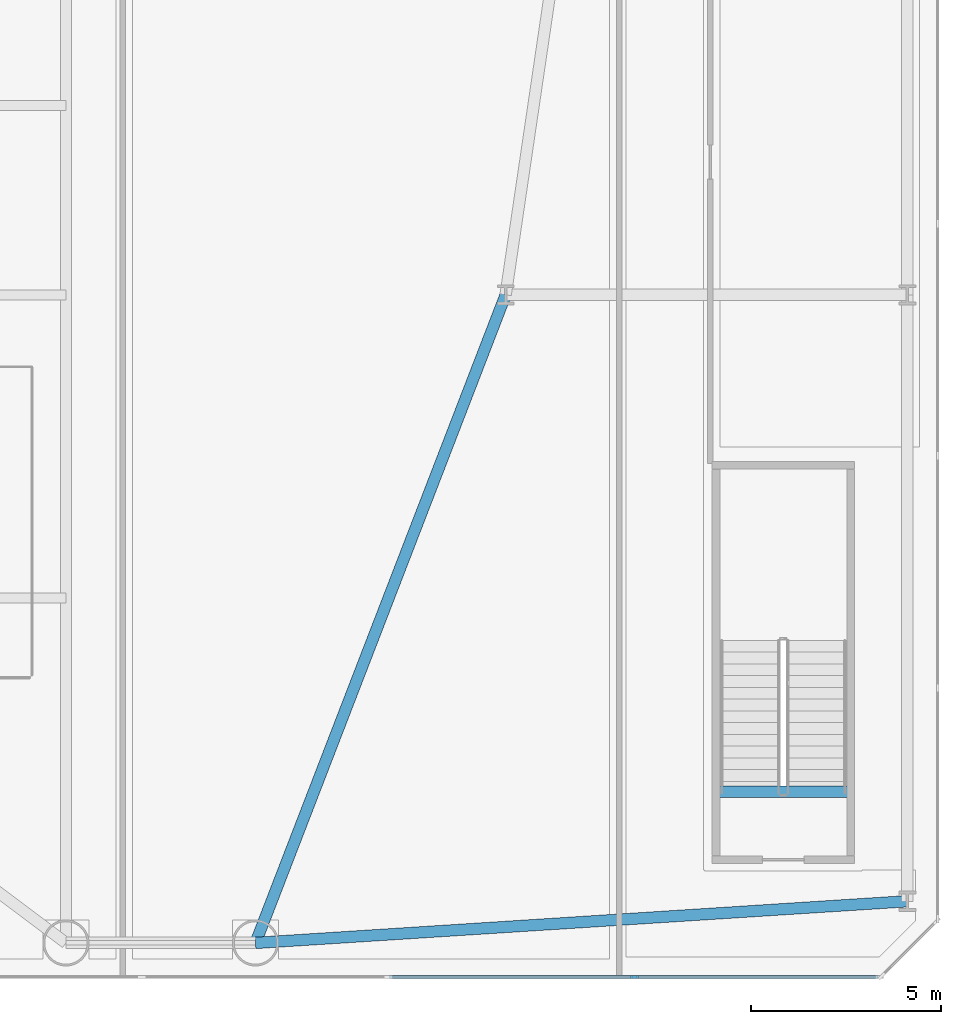
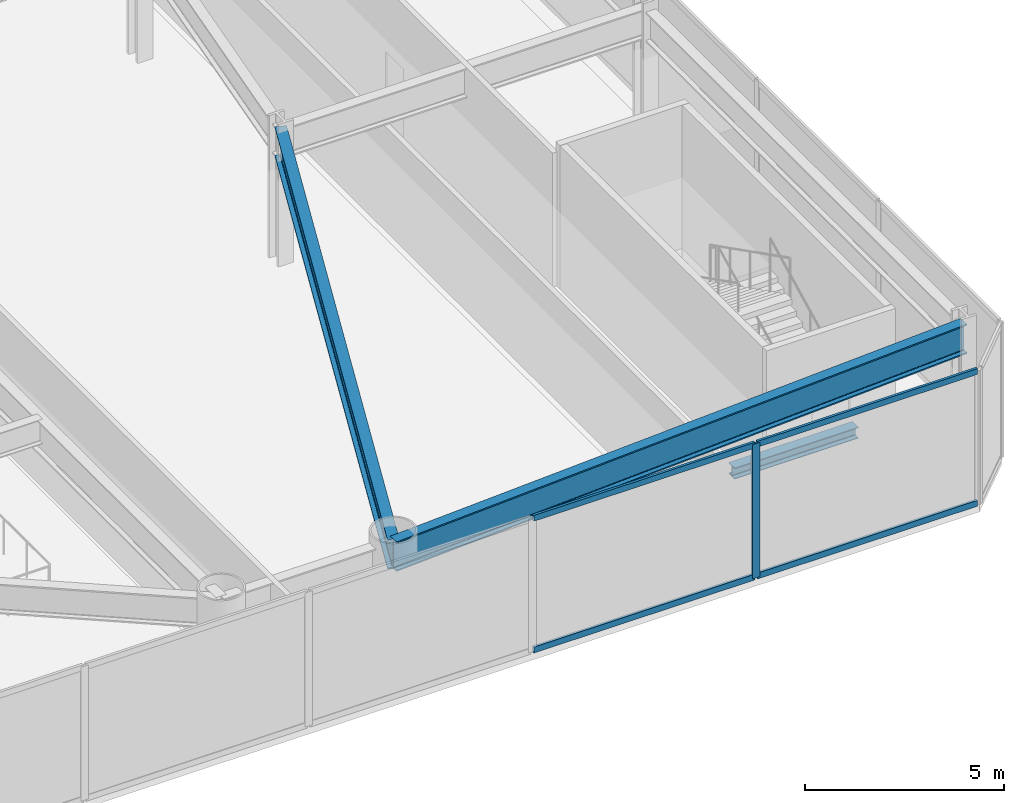
# One storey, part 5 of 24: 5 members, 3 beams, 1 element without a shape of its own.
"""IFC4 building model written with IfcOpenShell, lengths in metres."""

from ifc_helpers import new_model, si_unit, direction, frame, origin, origin_2d, place, context, subcontext, project, spatial, rectangle, i_section, extrude, source, transform, mapped, material, layer, layer_set, material_profile, profile_set, type_object, element, aggregate, save


model = new_model("IFC4")

# Units and contexts
model_context = context("Model", 3, precision=1e-05, world=origin(), true_north=direction((0.0, 1.0)))
body_context = subcontext(model_context, "Body", "Model", "MODEL_VIEW")
ifc_project = project(units=[si_unit("LENGTHUNIT", "METRE"), si_unit("AREAUNIT", "SQUARE_METRE"), si_unit("VOLUMEUNIT", "CUBIC_METRE"), si_unit("PLANEANGLEUNIT", "RADIAN"), si_unit("MASSUNIT", "GRAM", prefix="KILO")], contexts=[model_context])

# Site, building, storey
site_placement = place(None, origin())
site = spatial("IfcSite", under=ifc_project, at=site_placement, CompositionType="ELEMENT")
building_placement = place(site_placement, origin())
building = spatial("IfcBuilding", under=site, at=building_placement, Name="Vaeldorn Concourse Tower", CompositionType="ELEMENT")
storey_placement = place(building_placement, frame((0.0, 0.0, 5.60009765625)))
storey = spatial("IfcBuildingStorey", under=building, at=storey_placement, Name="L01", CompositionType="ELEMENT", Elevation=5.60009765625)

# Beams
ifc_material_1 = material(Name="Steel S355", Category="steel")
ifc_material_profile_1 = material_profile(ifc_material_1, i_section(OverallWidth=0.300048828125, OverallDepth=0.340087890625, WebThickness=0.011962890625, FlangeThickness=0.021484375, FilletRadius=0.027099609375, at=origin_2d()), Name="HEB 340")
ifc_profile_set_1 = profile_set([ifc_material_profile_1], Name="Steel S355")
beam_type_1 = type_object("IfcBeamType", Name="BM-ST-TRIM", PredefinedType="BEAM", material=ifc_profile_set_1)
shared_shape_1 = source(origin(), body_context, "Body", "SweptSolid", [
    extrude(i_section(OverallWidth=0.300048828125, OverallDepth=0.340087890625, WebThickness=0.011962890625, FlangeThickness=0.021484375, FilletRadius=0.027099609375, at=origin_2d()), origin(), (0.0, 0.0, 1.0), 3.590087890625),
])
beam_1_placement = place(storey_placement, frame((62.1298828125, 4.889892578125, -0.4501953125), z_axis=(1.0, 0.0, 0.0), x_axis=(0.0, 1.0, 0.0)))
element("IfcBeam", 1, at=beam_1_placement, inside=storey, type_object=beam_type_1, Name="Stair Landing Trimmer Beam ST-5 L01", PredefinedType="BEAM", context=body_context, shape_type="MappedRepresentation", body=[
    mapped(shared_shape_1, transform((0.0, 0.0, 0.0), scale=1.0)),
])
ifc_material_profile_2 = material_profile(ifc_material_1, i_section(OverallWidth=0.302001953125, OverallDepth=0.909912109375, WebThickness=0.02099609375, FlangeThickness=0.0400390625, FilletRadius=0.030029296875, at=origin_2d()), Name="HEM 900")
ifc_profile_set_2 = profile_set([ifc_material_profile_2], Name="Steel S355")
beam_type_2 = type_object("IfcBeamType", Name="BM-PG-HEM900", PredefinedType="BEAM", material=ifc_profile_set_2)
shared_shape_2 = source(origin(), body_context, "Body", "SweptSolid", [
    extrude(i_section(OverallWidth=0.302001953125, OverallDepth=0.909912109375, WebThickness=0.02099609375, FlangeThickness=0.0400390625, FilletRadius=0.030029296875, at=origin_2d()), origin(), (0.0, 0.0, 1.0), 17.235107421875),
])
beam_2_placement = place(storey_placement, frame((50.0, 0.89990234375, 3.664794921875), z_axis=(0.997960855094, 0.063828925254, 0.0), x_axis=(-0.063828925254, 0.997960855094, 0.0)))
element("IfcBeam", 2, at=beam_2_placement, inside=storey, type_object=beam_type_2, Name="Beam BM-L01-C-SM6-C-PE1", PredefinedType="BEAM", context=body_context, shape_type="MappedRepresentation", body=[
    mapped(shared_shape_2, transform((0.0, 0.0, 0.0), scale=1.0)),
])
shared_shape_3 = source(origin(), body_context, "Body", "SweptSolid", [
    extrude(i_section(OverallWidth=0.302001953125, OverallDepth=0.909912109375, WebThickness=0.02099609375, FlangeThickness=0.0400390625, FilletRadius=0.030029296875, at=origin_2d()), origin(), (0.0, 0.0, 1.0), 18.32958984375),
])
beam_3_placement = place(storey_placement, frame((56.60009765625, 18.0, 3.664794921875), z_axis=(-0.36007844134, -0.932922031084, 0.0), x_axis=(0.932922031084, -0.36007844134, 0.0)))
element("IfcBeam", 3, at=beam_3_placement, inside=storey, type_object=beam_type_2, Name="Beam BM-L01-C-FLE2-C-SM6", PredefinedType="BEAM", context=body_context, shape_type="MappedRepresentation", body=[
    mapped(shared_shape_3, transform((0.0, 0.0, 0.0), scale=1.0)),
])

# Curtain wall, members
ifc_material_2 = material(Name="Anodised Bronze Aluminium", Category="aluminium")
ifc_layer = layer(ifc_material_2, 0.239990234375)
ifc_layer_set = layer_set([ifc_layer], Name="Anodised Bronze Aluminium")
curtain_wall_type = type_object("IfcCurtainWallType", Name="CW-SYS-04", PredefinedType="NOTDEFINED", material=ifc_layer_set)
curtain_wall_placement = place(storey_placement, origin())
curtain_wall = element("IfcCurtainWall", 4, at=curtain_wall_placement, inside=storey, type_object=curtain_wall_type, Name="Unitised Curtain Wall CW-L01-E01-1", PredefinedType="NOTDEFINED")
ifc_material_profile_3 = material_profile(ifc_material_2, rectangle(XDim=0.074951171875, YDim=0.219970703125, at=origin_2d()), Name="CWM 75x220")
ifc_profile_set_3 = profile_set([ifc_material_profile_3], Name="Anodised Bronze Aluminium")
member_type_1 = type_object("IfcMemberType", Name="CWM-BRONZE-220", PredefinedType="MULLION", material=ifc_profile_set_3)
shared_shape_4 = source(origin(), body_context, "Body", "SweptSolid", [
    extrude(rectangle(XDim=0.074951171875, YDim=0.219970703125, at=origin_2d()), origin(), (0.0, 0.0, 1.0), 4.119873046875),
])
member_1_placement = place(storey_placement, frame((60.0, 0.0, 0.0), z_axis=(0.0, 0.0, 1.0), x_axis=(0.0, 1.0, 0.0)))
member_1 = element("IfcMember", 5, at=member_1_placement, type_object=member_type_1, Name="CW-04 mullion 10", PredefinedType="MULLION", context=body_context, shape_type="MappedRepresentation", body=[
    mapped(shared_shape_4, transform((0.0, 0.0, 0.0), scale=1.0)),
])
ifc_material_profile_4 = material_profile(ifc_material_2, rectangle(XDim=0.074951171875, YDim=0.179931640625, at=origin_2d()), Name="CWT 75x180")
ifc_profile_set_4 = profile_set([ifc_material_profile_4], Name="Anodised Bronze Aluminium")
member_type_2 = type_object("IfcMemberType", Name="CWT-BRONZE-180", PredefinedType="USERDEFINED", material=ifc_profile_set_4)
shared_shape_5 = source(origin(), body_context, "Body", "SweptSolid", [
    extrude(rectangle(XDim=0.074951171875, YDim=0.179931640625, at=origin_2d()), origin(), (0.0, 0.0, 1.0), 6.387451171875),
])
member_2_placement = place(storey_placement, frame((60.03759765625, 0.0, 0.037353515625), z_axis=(1.0, 0.0, 0.0), x_axis=(0.0, 1.0, 0.0)))
member_2 = element("IfcMember", 6, at=member_2_placement, type_object=member_type_2, Name="CW-04 transom 10.1", ObjectType="TRANSOM", PredefinedType="USERDEFINED", context=body_context, shape_type="MappedRepresentation", body=[
    mapped(shared_shape_5, transform((0.0, 0.0, 0.0), scale=1.0)),
])
member_3_placement = place(storey_placement, frame((60.03759765625, 0.0, 4.08251953125), z_axis=(1.0, 0.0, 0.0), x_axis=(0.0, 1.0, 0.0)))
member_3 = element("IfcMember", 7, at=member_3_placement, type_object=member_type_2, Name="CW-04 transom 10.2", ObjectType="TRANSOM", PredefinedType="USERDEFINED", context=body_context, shape_type="MappedRepresentation", body=[
    mapped(shared_shape_5, transform((0.0, 0.0, 0.0), scale=1.0)),
])
shared_shape_6 = source(origin(), body_context, "Body", "SweptSolid", [
    extrude(rectangle(XDim=0.074951171875, YDim=0.179931640625, at=origin_2d()), origin(), (0.0, 0.0, 1.0), 6.4248046875),
])
member_4_placement = place(storey_placement, frame((53.53759765625, 0.0, 0.037353515625), z_axis=(1.0, 0.0, 0.0), x_axis=(0.0, 1.0, 0.0)))
member_4 = element("IfcMember", 8, at=member_4_placement, type_object=member_type_2, Name="CW-04 transom 9.1", ObjectType="TRANSOM", PredefinedType="USERDEFINED", context=body_context, shape_type="MappedRepresentation", body=[
    mapped(shared_shape_6, transform((0.0, 0.0, 0.0), scale=1.0)),
])
member_5_placement = place(storey_placement, frame((53.53759765625, 0.0, 4.08251953125), z_axis=(1.0, 0.0, 0.0), x_axis=(0.0, 1.0, 0.0)))
member_5 = element("IfcMember", 9, at=member_5_placement, type_object=member_type_2, Name="CW-04 transom 9.2", ObjectType="TRANSOM", PredefinedType="USERDEFINED", context=body_context, shape_type="MappedRepresentation", body=[
    mapped(shared_shape_6, transform((0.0, 0.0, 0.0), scale=1.0)),
])
aggregate(curtain_wall, [member_1, member_4, member_5, member_2, member_3])

save(model, "model.ifc")
